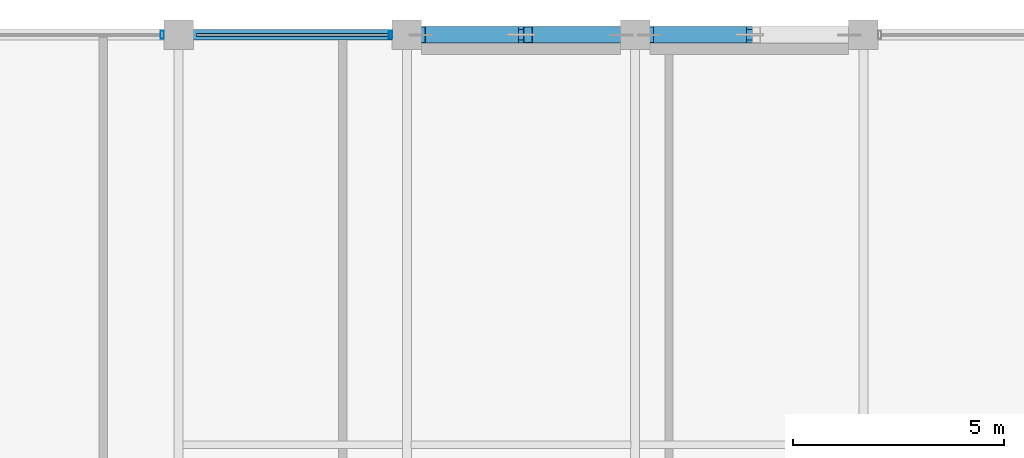
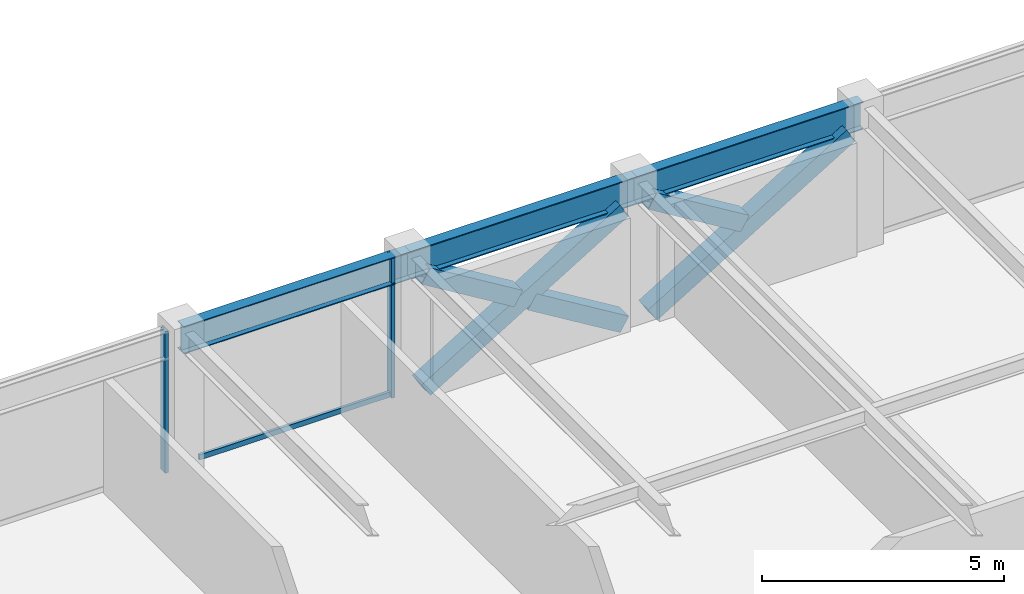
# One storey, part 16 of 29: 8 members, 3 beams, 1 element without a shape of its own.
"""IFC4 building model written with IfcOpenShell, lengths in metres."""

from ifc_helpers import new_model, si_unit, direction, frame, origin, origin_2d, place, context, subcontext, project, spatial, hollow_rectangle, i_section, extrude, material, layer, layer_set, material_profile, profile_set, type_object, element, aggregate, save


model = new_model("IFC4")

# Units and contexts
model_context = context("Model", 3, precision=1e-05, world=origin(), true_north=direction((0.0, 1.0)))
body_context = subcontext(model_context, "Body", "Model", "MODEL_VIEW")
ifc_project = project(units=[si_unit("LENGTHUNIT", "METRE"), si_unit("AREAUNIT", "SQUARE_METRE"), si_unit("VOLUMEUNIT", "CUBIC_METRE"), si_unit("PLANEANGLEUNIT", "RADIAN"), si_unit("MASSUNIT", "GRAM", prefix="KILO")], contexts=[model_context])

# Site, building, storey
site_placement = place(None, origin())
site = spatial("IfcSite", under=ifc_project, at=site_placement, CompositionType="ELEMENT")
building_placement = place(site_placement, origin())
building = spatial("IfcBuilding", under=site, at=building_placement, Name="Surkhivell Harbour Commons", CompositionType="ELEMENT")
storey_placement = place(building_placement, frame((0.0, 0.0, 277.5)))
storey = spatial("IfcBuildingStorey", under=building, at=storey_placement, Name="L72", CompositionType="ELEMENT", Elevation=277.5)

# Beams
ifc_material_1 = material(Name="Steel S355", Category="steel")
ifc_material_profile_1 = material_profile(ifc_material_1, i_section(OverallWidth=0.256103515625, OverallDepth=0.693115234375, WebThickness=0.014404296875, FlangeThickness=0.023681640625, at=origin_2d()), Name="UB686x254x170")
ifc_profile_set_1 = profile_set([ifc_material_profile_1], Name="Steel S355")
beam_type = type_object("IfcBeamType", Name="BM-SPN-686", PredefinedType="SPANDREL", material=ifc_profile_set_1)
beam_placement = place(storey_placement, frame((-10.800048828125, 25.89990234375, 3.223388671875), z_axis=(1.0, 0.0, 0.0), x_axis=(0.0, 1.0, 0.0)))
element("IfcBeam", 1, at=beam_placement, inside=storey, type_object=beam_type, Name="L72 Tube Spandrel (-10.8,25.9)", PredefinedType="SPANDREL", context=body_context, shape_type="SweptSolid", body=[
    extrude(i_section(OverallWidth=0.256103515625, OverallDepth=0.693115234375, WebThickness=0.014404296875, FlangeThickness=0.023681640625, at=origin_2d()), origin(), (0.0, 0.0, 1.0), 5.400146484375),
])
for number, where, z_axis, x_axis, name in (
    (2, (-5.39990234375, 25.89990234375, 3.223388671875), (1.0, 0.0, 0.0), (0.0, 1.0, 0.0), "L72 Tube Spandrel (-5.4,25.9)"),
    (3, (0.0, 25.89990234375, 3.223388671875), (1.0, 0.0, 0.0), (0.0, 1.0, 0.0), "L72 Tube Spandrel (-0.0,25.9)"),
):
    element("IfcBeam", number, at=place(storey_placement, frame(where, z_axis=z_axis, x_axis=x_axis)), inside=storey, type_object=beam_type, Name=name, PredefinedType="SPANDREL", context=body_context, shape_type="SweptSolid", body=[
        extrude(i_section(OverallWidth=0.256103515625, OverallDepth=0.693115234375, WebThickness=0.014404296875, FlangeThickness=0.023681640625, at=origin_2d()), origin(), (0.0, 0.0, 1.0), 5.39990234375),
    ])

# Curtain wall, members
ifc_material_2 = material(Name="Anodised pale-metal aluminium and insulated glazing", Category="aluminium")
ifc_layer = layer(ifc_material_2, 0.175048828125)
ifc_layer_set = layer_set([ifc_layer], Name="Anodised pale-metal aluminium and insulated glazing")
curtain_wall_type = type_object("IfcCurtainWallType", Name="CW-SYS-Z4", PredefinedType="NOTDEFINED", material=ifc_layer_set)
curtain_wall_placement = place(storey_placement, origin())
curtain_wall = element("IfcCurtainWall", 4, at=curtain_wall_placement, inside=storey, type_object=curtain_wall_type, Name="L72 Curtain Wall CW-L72-E07S2", PredefinedType="NOTDEFINED")
ifc_material_3 = material(Name="Anodised pale-metal aluminium alloy 6063-T6", Category="aluminium")
ifc_material_profile_2 = material_profile(ifc_material_3, hollow_rectangle(XDim=0.074951171875, YDim=0.18994140625, WallThickness=0.00390625, at=origin_2d()), Name="ALU-MULL-75x190")
ifc_profile_set_2 = profile_set([ifc_material_profile_2], Name="Anodised pale-metal aluminium alloy 6063-T6")
member_type_1 = type_object("IfcMemberType", Name="CWM-190", PredefinedType="MULLION", material=ifc_profile_set_2)
member_1_placement = place(storey_placement, frame((-5.78955078125, 25.89990234375, 0.0), z_axis=(0.0, 0.0, 1.0), x_axis=(-1.0, 0.0, 0.0)))
member_1 = element("IfcMember", 5, at=member_1_placement, type_object=member_type_1, Name="CW-Z4 mullion 1", PredefinedType="MULLION", context=body_context, shape_type="SweptSolid", body=[
    extrude(hollow_rectangle(XDim=0.074951171875, YDim=0.18994140625, WallThickness=0.00390625, at=origin_2d()), origin(), (0.0, 0.0, 1.0), 3.570068359375),
])
member_2_placement = place(storey_placement, frame((-11.189453125, 25.89990234375, 0.0), z_axis=(0.0, 0.0, 1.0), x_axis=(-1.0, 0.0, 0.0)))
member_2 = element("IfcMember", 6, at=member_2_placement, type_object=member_type_1, Name="CW-Z4 mullion 2", PredefinedType="MULLION", context=body_context, shape_type="SweptSolid", body=[
    extrude(hollow_rectangle(XDim=0.074951171875, YDim=0.18994140625, WallThickness=0.00390625, at=origin_2d()), origin(), (0.0, 0.0, 1.0), 3.570068359375),
])
ifc_material_4 = material(Name="Champagne anodised aluminium alloy 6063-T6", Category="aluminium")
ifc_material_profile_3 = material_profile(ifc_material_4, hollow_rectangle(XDim=0.070068359375, YDim=0.1298828125, WallThickness=0.00341796875, at=origin_2d()), Name="ALU-TRAN-70x130")
ifc_profile_set_3 = profile_set([ifc_material_profile_3], Name="Champagne anodised aluminium alloy 6063-T6")
member_type_2 = type_object("IfcMemberType", Name="CWT-130", PredefinedType="USERDEFINED", material=ifc_profile_set_3)
member_3_placement = place(storey_placement, frame((-5.826904296875, 25.89990234375, 0.06494140625), z_axis=(-1.0, 0.0, 0.0), x_axis=(0.0, -1.0, 0.0)))
member_3 = element("IfcMember", 7, at=member_3_placement, type_object=member_type_2, Name="CW-Z4 transom 1.1", ObjectType="TRANSOM", PredefinedType="USERDEFINED", context=body_context, shape_type="SweptSolid", body=[
    extrude(hollow_rectangle(XDim=0.070068359375, YDim=0.1298828125, WallThickness=0.00341796875, at=origin_2d()), origin(), (0.0, 0.0, 1.0), 4.546142578125),
])
aggregate(curtain_wall, [member_1, member_3, member_2])

# Members
ifc_material_5 = material(Name="Steel S460", Category="steel")
ifc_material_profile_4 = material_profile(ifc_material_5, hollow_rectangle(XDim=0.39990234375, YDim=0.39990234375, WallThickness=0.02001953125, at=origin_2d()), Name="SHS400x400x20")
ifc_profile_set_4 = profile_set([ifc_material_profile_4], Name="Steel S460")
member_type_3 = type_object("IfcMemberType", Name="MEM-BRC-SHS400", PredefinedType="BRACE", material=ifc_profile_set_4)
member_4_placement = place(storey_placement, frame((-5.06494140625, 25.89990234375, 0.008056640625), z_axis=(0.854685454322, 0.0, 0.519146197299), x_axis=(0.0, 1.0, 0.0)))
element("IfcMember", 8, at=member_4_placement, inside=storey, type_object=member_type_3, Name="L72 Perimeter Mega-Brace MB- 01", PredefinedType="BRACE", context=body_context, shape_type="SweptSolid", body=[
    extrude(hollow_rectangle(XDim=0.39990234375, YDim=0.39990234375, WallThickness=0.02001953125, at=origin_2d()), origin(), (0.0, 0.0, 1.0), 5.5341796875),
])
member_5_placement = place(storey_placement, frame((-0.3349609375, 25.89990234375, 0.008056640625), z_axis=(-0.854719912157, 0.0, 0.519089464122), x_axis=(0.0, -1.0, 0.0)))
element("IfcMember", 9, at=member_5_placement, inside=storey, type_object=member_type_3, Name="L72 Perimeter Mega-Brace MB- 02", PredefinedType="BRACE", context=body_context, shape_type="SweptSolid", body=[
    extrude(hollow_rectangle(XDim=0.39990234375, YDim=0.39990234375, WallThickness=0.02001953125, at=origin_2d()), origin(), (0.0, 0.0, 1.0), 2.574951171875),
])
member_6_placement = place(storey_placement, frame((-2.864013671875, 25.89990234375, 1.544189453125), z_axis=(-0.854677846108, 0.0, 0.519158722716), x_axis=(0.0, -1.0, 0.0)))
element("IfcMember", 10, at=member_6_placement, inside=storey, type_object=member_type_3, Name="L72 Perimeter Mega-Brace MB- 03", PredefinedType="BRACE", context=body_context, shape_type="SweptSolid", body=[
    extrude(hollow_rectangle(XDim=0.39990234375, YDim=0.39990234375, WallThickness=0.02001953125, at=origin_2d()), origin(), (0.0, 0.0, 1.0), 2.5751953125),
])
member_7_placement = place(storey_placement, frame((0.3349609375, 25.89990234375, 0.008056640625), z_axis=(0.854685454322, 0.0, 0.519146197299), x_axis=(0.0, 1.0, 0.0)))
element("IfcMember", 11, at=member_7_placement, inside=storey, type_object=member_type_3, Name="L72 Perimeter Mega-Brace MB- 04", PredefinedType="BRACE", context=body_context, shape_type="SweptSolid", body=[
    extrude(hollow_rectangle(XDim=0.39990234375, YDim=0.39990234375, WallThickness=0.02001953125, at=origin_2d()), origin(), (0.0, 0.0, 1.0), 5.5341796875),
])
member_8_placement = place(storey_placement, frame((2.535888671875, 25.89990234375, 1.544189453125), z_axis=(-0.854677846108, 0.0, 0.519158722716), x_axis=(0.0, -1.0, 0.0)))
element("IfcMember", 12, at=member_8_placement, inside=storey, type_object=member_type_3, Name="L72 Perimeter Mega-Brace MB- 06", PredefinedType="BRACE", context=body_context, shape_type="SweptSolid", body=[
    extrude(hollow_rectangle(XDim=0.39990234375, YDim=0.39990234375, WallThickness=0.02001953125, at=origin_2d()), origin(), (0.0, 0.0, 1.0), 2.5751953125),
])

save(model, "model.ifc")
